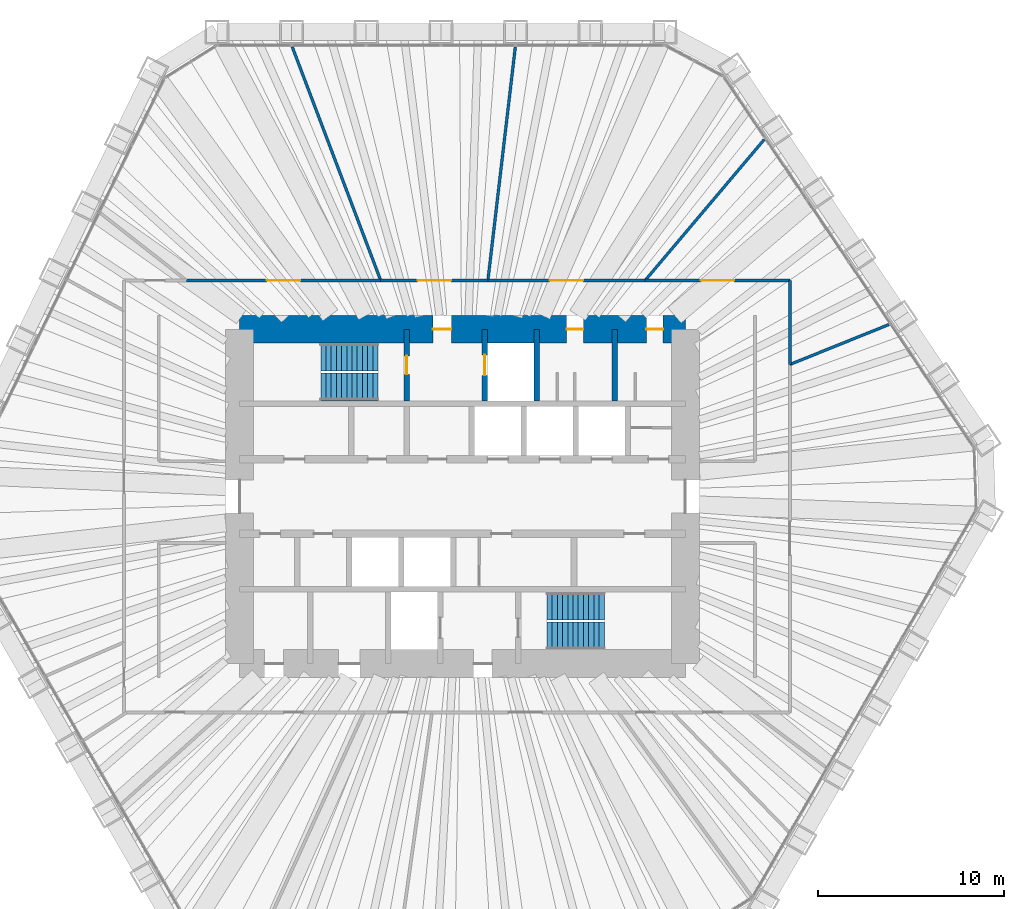
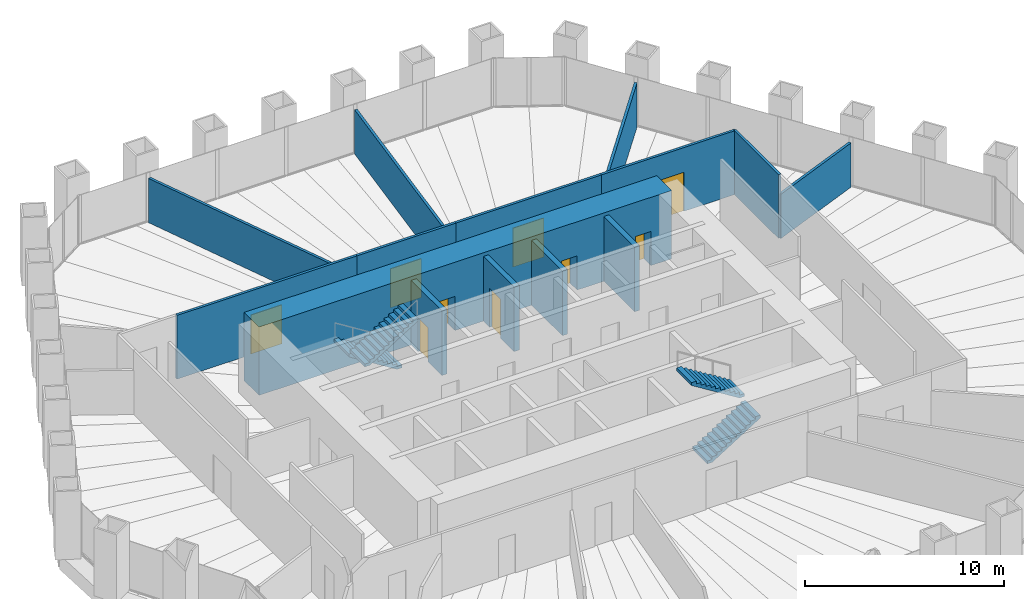
# One storey, part 11 of 12: 14 walls, 9 doors, 4 stair flights, 9 openings, 2 elements without a shape of their own.
"""IFC4 building model written with IfcOpenShell, lengths in metres."""

from ifc_helpers import new_model, si_unit, direction, frame, frame_2d, origin, place, context, subcontext, project, spatial, polyline, rectangle, outline, extrude, material, layer, layer_set, type_object, element, fill, aggregate, save


model = new_model("IFC4")

# Units and contexts
model_context = context("Model", 3, precision=1e-05, world=origin(), true_north=direction((0.0, 1.0)))
body_context = subcontext(model_context, "Body", "Model", "MODEL_VIEW")
ifc_project = project(units=[si_unit("LENGTHUNIT", "METRE"), si_unit("AREAUNIT", "SQUARE_METRE"), si_unit("VOLUMEUNIT", "CUBIC_METRE"), si_unit("PLANEANGLEUNIT", "RADIAN"), si_unit("MASSUNIT", "GRAM", prefix="KILO")], contexts=[model_context])

# Site, building, storey
site_placement = place(None, origin())
site = spatial("IfcSite", under=ifc_project, at=site_placement, CompositionType="ELEMENT")
building_placement = place(site_placement, origin())
building = spatial("IfcBuilding", under=site, at=building_placement, Name="Qingtian Harvest Tower", CompositionType="ELEMENT")
storey_placement = place(building_placement, frame((0.0, 0.0, 170.199951171875)))
storey = spatial("IfcBuildingStorey", under=building, at=storey_placement, Name="L36", CompositionType="ELEMENT", Elevation=170.199951171875)

# Wall, opening, door
ifc_material_1 = material(Name="Precast concrete shaft panel", Category="concrete")
ifc_layer_1 = layer(ifc_material_1, 0.300048828125)
ifc_layer_set_1 = layer_set([ifc_layer_1], Name="Core shaft partition SW1 300")
wall_type_1 = type_object("IfcWallType", Name="Core shaft partition SW1 300", PredefinedType="PARTITIONING", material=ifc_layer_set_1)
wall_1_placement = place(storey_placement, frame((-3.0, 5.14990234375, 0.0), z_axis=(0.0, 0.0, 1.0), x_axis=(0.0, 1.0, 0.0)))
wall_1 = element("IfcWall", 1, at=wall_1_placement, inside=storey, type_object=wall_type_1, Name="Core shaft partition XN1 L36", PredefinedType="PARTITIONING", context=body_context, shape_type="SweptSolid", body=[
    extrude(rectangle(XDim=3.85009765625, YDim=0.300048828125, at=frame_2d((1.925048828125, 0.0))), origin(), (0.0, 0.0, 1.0), 3.97998046875),
])
opening_1_placement = place(wall_1_placement, frame((1.425048828125, 0.0, 0.0)))
opening_1 = element("IfcOpeningElement", 2, at=opening_1_placement, cuts=wall_1, Name="Opening FD1", PredefinedType="OPENING", context=body_context, shape_type="SweptSolid", body=[
    extrude(rectangle(XDim=1.0, YDim=2.10009765625, at=frame_2d((0.5, 1.050048828125))), frame((0.0, 0.159912109375, 0.0), z_axis=(0.0, -1.0, 0.0), x_axis=(1.0, 0.0, 0.0)), (0.0, 0.0, 1.0), 0.320068359375),
])
ifc_material_2 = material(Name="Steel-faced door leaf", Category="steel")
door_type_1 = type_object("IfcDoorType", Name="Fire door FD1 single 1 HR", OperationType="SINGLE_SWING_LEFT", PredefinedType="DOOR", material=ifc_material_2)
door_1_placement = place(opening_1_placement, origin())
door_1 = element("IfcDoor", 3, at=door_1_placement, inside=storey, type_object=door_type_1, Name="S1 door L36", OperationType="SINGLE_SWING_RIGHT", OverallHeight=2.10009765625, OverallWidth=1.0, PredefinedType="DOOR", context=body_context, shape_type="SweptSolid", body=[
    extrude(rectangle(XDim=1.0, YDim=2.10009765625, at=frame_2d((0.5, 1.050048828125))), frame((0.0, 0.02490234375, 0.0), z_axis=(0.0, -1.0, 0.0), x_axis=(1.0, 0.0, 0.0)), (0.0, 0.0, 1.0), 0.050048828125),
])
fill(opening_1, door_1)

wall_2_placement = place(storey_placement, frame((1.199951171875, 5.14990234375, 0.0), z_axis=(0.0, 0.0, 1.0), x_axis=(0.0, 1.0, 0.0)))
wall_2 = element("IfcWall", 4, at=wall_2_placement, inside=storey, type_object=wall_type_1, Name="Core shaft partition XN2 L36", PredefinedType="PARTITIONING", context=body_context, shape_type="SweptSolid", body=[
    extrude(rectangle(XDim=3.85009765625, YDim=0.300048828125, at=frame_2d((1.925048828125, 0.0))), origin(), (0.0, 0.0, 1.0), 3.97998046875),
])
opening_2_placement = place(wall_2_placement, frame((1.375, 0.0, 0.0)))
opening_2 = element("IfcOpeningElement", 5, at=opening_2_placement, cuts=wall_2, Name="Opening LD1", PredefinedType="OPENING", context=body_context, shape_type="SweptSolid", body=[
    extrude(rectangle(XDim=1.10009765625, YDim=2.39990234375, at=frame_2d((0.550048828125, 1.199951171875))), frame((0.0, 0.159912109375, 0.0), z_axis=(0.0, -1.0, 0.0), x_axis=(1.0, 0.0, 0.0)), (0.0, 0.0, 1.0), 0.320068359375),
])
ifc_material_3 = material(Name="Stainless steel lift landing door", Category="steel")
door_type_2 = type_object("IfcDoorType", Name="Lift landing door LD1 1 HR", OperationType="DOUBLE_DOOR_SLIDING", PredefinedType="DOOR", material=ifc_material_3)
door_2_placement = place(opening_2_placement, origin())
door_2 = element("IfcDoor", 6, at=door_2_placement, inside=storey, type_object=door_type_2, Name="FL1 landing door L36", OperationType="DOUBLE_DOOR_SLIDING", OverallHeight=2.39990234375, OverallWidth=1.10009765625, PredefinedType="DOOR", context=body_context, shape_type="SweptSolid", body=[
    extrude(rectangle(XDim=1.10009765625, YDim=2.39990234375, at=frame_2d((0.550048828125, 1.199951171875))), frame((0.0, 0.02490234375, 0.0), z_axis=(0.0, -1.0, 0.0), x_axis=(1.0, 0.0, 0.0)), (0.0, 0.0, 1.0), 0.050048828125),
])
fill(opening_2, door_2)

# Walls
for number, where, z_axis, x_axis, name in (
    (7, (4.0, 5.14990234375, 0.0), (0.0, 0.0, 1.0), (0.0, 1.0, 0.0), "Core shaft partition XN3 L36"),
    (8, (8.199951171875, 5.14990234375, 0.0), (0.0, 0.0, 1.0), (0.0, 1.0, 0.0), "Core shaft partition XN4 L36"),
):
    element("IfcWall", number, at=place(storey_placement, frame(where, z_axis=z_axis, x_axis=x_axis)), inside=storey, type_object=wall_type_1, Name=name, PredefinedType="PARTITIONING", context=body_context, shape_type="SweptSolid", body=[
        extrude(rectangle(XDim=3.85009765625, YDim=0.300048828125, at=frame_2d((1.925048828125, 0.0))), origin(), (0.0, 0.0, 1.0), 3.97998046875),
    ])

# Wall, openings, doors
ifc_material_4 = material(Name="Concrete fc' 70 MPa", Category="concrete")
ifc_layer_2 = layer(ifc_material_4, 1.5)
ifc_layer_set_2 = layer_set([ifc_layer_2], Name="Core wall RC1 1500")
wall_type_2 = type_object("IfcWallType", Name="Core wall RC1 1500", PredefinedType="SHEAR", material=ifc_layer_set_2)
wall_3_placement = place(storey_placement, frame((-12.0, 9.0, 0.0), z_axis=(0.0, 0.0, 1.0), x_axis=(1.0, 0.0, 0.0)))
wall_3 = element("IfcWall", 9, at=wall_3_placement, inside=storey, type_object=wall_type_2, Name="Core wall CN L36", PredefinedType="SHEAR", context=body_context, shape_type="SweptSolid", body=[
    extrude(rectangle(XDim=24.0, YDim=1.5, at=frame_2d((12.0, 0.0))), origin(), (0.0, 0.0, 1.0), 4.199951171875),
])
opening_3_placement = place(wall_3_placement, frame((10.39990234375, 0.0, 0.0)))
opening_3 = element("IfcOpeningElement", 10, at=opening_3_placement, cuts=wall_3, Name="Opening FD1", PredefinedType="OPENING", context=body_context, shape_type="SweptSolid", body=[
    extrude(rectangle(XDim=1.0, YDim=2.10009765625, at=frame_2d((0.5, 1.050048828125))), frame((0.0, 0.760009765625, 0.0), z_axis=(0.0, -1.0, 0.0), x_axis=(1.0, 0.0, 0.0)), (0.0, 0.0, 1.0), 1.52001953125),
])
opening_4_placement = place(wall_3_placement, frame((17.60009765625, 0.0, 0.0)))
opening_4 = element("IfcOpeningElement", 11, at=opening_4_placement, cuts=wall_3, Name="Opening D1", PredefinedType="OPENING", context=body_context, shape_type="SweptSolid", body=[
    extrude(rectangle(XDim=0.89990234375, YDim=2.10009765625, at=frame_2d((0.449951171875, 1.050048828125))), frame((0.0, 0.760009765625, 0.0), z_axis=(0.0, -1.0, 0.0), x_axis=(1.0, 0.0, 0.0)), (0.0, 0.0, 1.0), 1.52001953125),
])
opening_5_placement = place(wall_3_placement, frame((21.89990234375, 0.0, 0.0)))
opening_5 = element("IfcOpeningElement", 12, at=opening_5_placement, cuts=wall_3, Name="Opening D1", PredefinedType="OPENING", context=body_context, shape_type="SweptSolid", body=[
    extrude(rectangle(XDim=0.89990234375, YDim=2.10009765625, at=frame_2d((0.449951171875, 1.050048828125))), frame((0.0, 0.760009765625, 0.0), z_axis=(0.0, -1.0, 0.0), x_axis=(1.0, 0.0, 0.0)), (0.0, 0.0, 1.0), 1.52001953125),
])
door_3_placement = place(opening_3_placement, origin())
door_3 = element("IfcDoor", 13, at=door_3_placement, inside=storey, type_object=door_type_1, Name="V1 door L36", OperationType="SINGLE_SWING_LEFT", OverallHeight=2.10009765625, OverallWidth=1.0, PredefinedType="DOOR", context=body_context, shape_type="SweptSolid", body=[
    extrude(rectangle(XDim=1.0, YDim=2.10009765625, at=frame_2d((0.5, 1.050048828125))), frame((0.0, 0.02490234375, 0.0), z_axis=(0.0, -1.0, 0.0), x_axis=(1.0, 0.0, 0.0)), (0.0, 0.0, 1.0), 0.050048828125),
])
fill(opening_3, door_3)
ifc_material_5 = material(Name="Laminated timber door leaf", Category="wood")
door_type_3 = type_object("IfcDoorType", Name="Toilet door D1 single", OperationType="SINGLE_SWING_LEFT", PredefinedType="DOOR", material=ifc_material_5)
door_4_placement = place(opening_4_placement, origin())
door_4 = element("IfcDoor", 14, at=door_4_placement, inside=storey, type_object=door_type_3, Name="WCM door L36", OperationType="SINGLE_SWING_RIGHT", OverallHeight=2.10009765625, OverallWidth=0.89990234375, PredefinedType="DOOR", context=body_context, shape_type="SweptSolid", body=[
    extrude(rectangle(XDim=0.89990234375, YDim=2.10009765625, at=frame_2d((0.449951171875, 1.050048828125))), frame((0.0, 0.02490234375, 0.0), z_axis=(0.0, -1.0, 0.0), x_axis=(1.0, 0.0, 0.0)), (0.0, 0.0, 1.0), 0.050048828125),
])
fill(opening_4, door_4)
door_5_placement = place(opening_5_placement, origin())
door_5 = element("IfcDoor", 15, at=door_5_placement, inside=storey, type_object=door_type_3, Name="WCF door L36", OperationType="SINGLE_SWING_RIGHT", OverallHeight=2.10009765625, OverallWidth=0.89990234375, PredefinedType="DOOR", context=body_context, shape_type="SweptSolid", body=[
    extrude(rectangle(XDim=0.89990234375, YDim=2.10009765625, at=frame_2d((0.449951171875, 1.050048828125))), frame((0.0, 0.02490234375, 0.0), z_axis=(0.0, -1.0, 0.0), x_axis=(1.0, 0.0, 0.0)), (0.0, 0.0, 1.0), 0.050048828125),
])
fill(opening_5, door_5)

# Wall
ifc_material_6 = material(Name="Gypsum board on steel studs", Category="steel")
ifc_layer_3 = layer(ifc_material_6, 0.14990234375)
ifc_layer_set_3 = layer_set([ifc_layer_3], Name="Partition PT1 150")
wall_type_3 = type_object("IfcWallType", Name="Partition PT1 150", PredefinedType="PARTITIONING", material=ifc_layer_set_3)
wall_4_placement = place(storey_placement, frame((2.843017578125, 24.20068359375, 0.0), z_axis=(0.0, 0.0, 1.0), x_axis=(-0.116670084723, -0.993170726175, 0.0)))
element("IfcWall", 16, at=wall_4_placement, inside=storey, type_object=wall_type_3, Name="Meeting room wall L36", PredefinedType="PARTITIONING", context=body_context, shape_type="SweptSolid", body=[
    extrude(rectangle(XDim=12.662109375, YDim=0.14990234375, at=frame_2d((6.3310546875, 0.0))), origin(), (0.0, 0.0, 1.0), 2.719970703125),
])

# Wall, opening, door
wall_5_placement = place(storey_placement, frame((1.36572265625, 11.625, 0.0), z_axis=(0.0, 0.0, 1.0), x_axis=(1.0, 0.0, 0.0)))
wall_5 = element("IfcWall", 17, at=wall_5_placement, inside=storey, type_object=wall_type_3, Name="Meeting room wall L36", PredefinedType="PARTITIONING", context=body_context, shape_type="SweptSolid", body=[
    extrude(rectangle(XDim=8.460205078125, YDim=0.14990234375, at=frame_2d((4.22998046875, 0.0))), origin(), (0.0, 0.0, 1.0), 3.920166015625),
])
opening_6_placement = place(wall_5_placement, frame((3.330078125, 0.0, 0.0)))
opening_6 = element("IfcOpeningElement", 18, at=opening_6_placement, cuts=wall_5, Name="Opening D3", PredefinedType="OPENING", context=body_context, shape_type="SweptSolid", body=[
    extrude(rectangle(XDim=1.800048828125, YDim=2.39990234375, at=frame_2d((0.89990234375, 1.199951171875))), frame((0.0, 0.0849609375, 0.0), z_axis=(0.0, -1.0, 0.0), x_axis=(1.0, 0.0, 0.0)), (0.0, 0.0, 1.0), 0.169921875),
])
ifc_material_7 = material(Name="Laminated timber door leaf", Category="wood")
door_type_4 = type_object("IfcDoorType", Name="Room door D3 double", OperationType="DOUBLE_DOOR_DOUBLE_SWING", PredefinedType="DOOR", material=ifc_material_7)
door_6_placement = place(opening_6_placement, origin())
door_6 = element("IfcDoor", 19, at=door_6_placement, inside=storey, type_object=door_type_4, Name="Meeting room door L36", OperationType="DOUBLE_DOOR_DOUBLE_SWING", OverallHeight=2.39990234375, OverallWidth=1.800048828125, PredefinedType="DOOR", context=body_context, shape_type="SweptSolid", body=[
    extrude(rectangle(XDim=1.800048828125, YDim=2.39990234375, at=frame_2d((0.89990234375, 1.199951171875))), frame((0.0, 0.02490234375, 0.0), z_axis=(0.0, -1.0, 0.0), x_axis=(1.0, 0.0, 0.0)), (0.0, 0.0, 1.0), 0.050048828125),
])
fill(opening_6, door_6)

# Wall
wall_6_placement = place(storey_placement, frame((16.2373046875, 19.21044921875, 0.0), z_axis=(0.0, 0.0, 1.0), x_axis=(-0.645526723652, -0.763737683404, 0.0)))
element("IfcWall", 20, at=wall_6_placement, inside=storey, type_object=wall_type_3, Name="Meeting room wall L36", PredefinedType="PARTITIONING", context=body_context, shape_type="SweptSolid", body=[
    extrude(rectangle(XDim=9.93212890625, YDim=0.14990234375, at=frame_2d((4.966064453125, 0.0))), origin(), (0.0, 0.0, 1.0), 2.719970703125),
])

# Wall, opening, door
wall_7_placement = place(storey_placement, frame((9.825927734375, 11.625, 0.0), z_axis=(0.0, 0.0, 1.0), x_axis=(1.0, 0.0, 0.0)))
wall_7 = element("IfcWall", 21, at=wall_7_placement, inside=storey, type_object=wall_type_3, Name="Meeting room wall L36", PredefinedType="PARTITIONING", context=body_context, shape_type="SweptSolid", body=[
    extrude(rectangle(XDim=7.799072265625, YDim=0.14990234375, at=frame_2d((3.8994140625, 0.0))), origin(), (0.0, 0.0, 1.0), 3.920166015625),
])
opening_7_placement = place(wall_7_placement, frame((2.99951171875, 0.0, 0.0)))
opening_7 = element("IfcOpeningElement", 22, at=opening_7_placement, cuts=wall_7, Name="Opening D3", PredefinedType="OPENING", context=body_context, shape_type="SweptSolid", body=[
    extrude(rectangle(XDim=1.800048828125, YDim=2.39990234375, at=frame_2d((0.89990234375, 1.199951171875))), frame((0.0, 0.0849609375, 0.0), z_axis=(0.0, -1.0, 0.0), x_axis=(1.0, 0.0, 0.0)), (0.0, 0.0, 1.0), 0.169921875),
])
door_7_placement = place(opening_7_placement, origin())
door_7 = element("IfcDoor", 23, at=door_7_placement, inside=storey, type_object=door_type_4, Name="Meeting room door L36", OperationType="DOUBLE_DOOR_DOUBLE_SWING", OverallHeight=2.39990234375, OverallWidth=1.800048828125, PredefinedType="DOOR", context=body_context, shape_type="SweptSolid", body=[
    extrude(rectangle(XDim=1.800048828125, YDim=2.39990234375, at=frame_2d((0.89990234375, 1.199951171875))), frame((0.0, 0.02490234375, 0.0), z_axis=(0.0, -1.0, 0.0), x_axis=(1.0, 0.0, 0.0)), (0.0, 0.0, 1.0), 0.050048828125),
])
fill(opening_7, door_7)

# Walls
wall_8_placement = place(storey_placement, frame((17.625, 11.625, 0.0), z_axis=(0.0, 0.0, 1.0), x_axis=(0.0, -1.0, 0.0)))
element("IfcWall", 24, at=wall_8_placement, inside=storey, type_object=wall_type_3, Name="Meeting room wall L36", PredefinedType="PARTITIONING", context=body_context, shape_type="SweptSolid", body=[
    extrude(rectangle(XDim=4.51904296875, YDim=0.14990234375, at=frame_2d((2.259521484375, 0.0))), origin(), (0.0, 0.0, 1.0), 3.920166015625),
])
wall_9_placement = place(storey_placement, frame((22.951416015625, 9.253662109375, 0.0), z_axis=(0.0, 0.0, 1.0), x_axis=(-0.927444087873, -0.373961848147, 0.0)))
element("IfcWall", 25, at=wall_9_placement, inside=storey, type_object=wall_type_3, Name="Office suite wall L36", PredefinedType="PARTITIONING", context=body_context, shape_type="SweptSolid", body=[
    extrude(rectangle(XDim=5.7431640625, YDim=0.14990234375, at=frame_2d((2.87158203125, 0.0))), origin(), (0.0, 0.0, 1.0), 2.719970703125),
])

# Wall, opening, door
wall_10_placement = place(storey_placement, frame((-14.857177734375, 11.625, 0.0), z_axis=(0.0, 0.0, 1.0), x_axis=(1.0, 0.0, 0.0)))
wall_10 = element("IfcWall", 26, at=wall_10_placement, inside=storey, type_object=wall_type_3, Name="Office suite wall L36", PredefinedType="PARTITIONING", context=body_context, shape_type="SweptSolid", body=[
    extrude(rectangle(XDim=10.45458984375, YDim=0.14990234375, at=frame_2d((5.227294921875, 0.0))), origin(), (0.0, 0.0, 1.0), 3.920166015625),
])
opening_8_placement = place(wall_10_placement, frame((4.327392578125, 0.0, 0.0)))
opening_8 = element("IfcOpeningElement", 27, at=opening_8_placement, cuts=wall_10, Name="Opening D3", PredefinedType="OPENING", context=body_context, shape_type="SweptSolid", body=[
    extrude(rectangle(XDim=1.800048828125, YDim=2.39990234375, at=frame_2d((0.89990234375, 1.199951171875))), frame((0.0, 0.0849609375, 0.0), z_axis=(0.0, -1.0, 0.0), x_axis=(1.0, 0.0, 0.0)), (0.0, 0.0, 1.0), 0.169921875),
])
door_8_placement = place(opening_8_placement, origin())
door_8 = element("IfcDoor", 28, at=door_8_placement, inside=storey, type_object=door_type_4, Name="Office suite door L36", OperationType="DOUBLE_DOOR_DOUBLE_SWING", OverallHeight=2.39990234375, OverallWidth=1.800048828125, PredefinedType="DOOR", context=body_context, shape_type="SweptSolid", body=[
    extrude(rectangle(XDim=1.800048828125, YDim=2.39990234375, at=frame_2d((0.89990234375, 1.199951171875))), frame((0.0, 0.02490234375, 0.0), z_axis=(0.0, -1.0, 0.0), x_axis=(1.0, 0.0, 0.0)), (0.0, 0.0, 1.0), 0.050048828125),
])
fill(opening_8, door_8)

# Wall
wall_11_placement = place(storey_placement, frame((-9.167236328125, 24.20654296875, 0.0), z_axis=(0.0, 0.0, 1.0), x_axis=(0.354156368181, -0.935186220427, 0.0)))
element("IfcWall", 29, at=wall_11_placement, inside=storey, type_object=wall_type_3, Name="Office suite wall L36", PredefinedType="PARTITIONING", context=body_context, shape_type="SweptSolid", body=[
    extrude(rectangle(XDim=13.45361328125, YDim=0.14990234375, at=frame_2d((6.726806640625, 0.0))), origin(), (0.0, 0.0, 1.0), 2.719970703125),
])

# Wall, opening, door
wall_12_placement = place(storey_placement, frame((-4.402587890625, 11.625, 0.0), z_axis=(0.0, 0.0, 1.0), x_axis=(1.0, 0.0, 0.0)))
wall_12 = element("IfcWall", 30, at=wall_12_placement, inside=storey, type_object=wall_type_3, Name="Office suite wall L36", PredefinedType="PARTITIONING", context=body_context, shape_type="SweptSolid", body=[
    extrude(rectangle(XDim=5.768310546875, YDim=0.14990234375, at=frame_2d((2.88427734375, 0.0))), origin(), (0.0, 0.0, 1.0), 3.920166015625),
])
opening_9_placement = place(wall_12_placement, frame((1.984130859375, 0.0, 0.0)))
opening_9 = element("IfcOpeningElement", 31, at=opening_9_placement, cuts=wall_12, Name="Opening D3", PredefinedType="OPENING", context=body_context, shape_type="SweptSolid", body=[
    extrude(rectangle(XDim=1.800048828125, YDim=2.39990234375, at=frame_2d((0.89990234375, 1.199951171875))), frame((0.0, 0.0849609375, 0.0), z_axis=(0.0, -1.0, 0.0), x_axis=(1.0, 0.0, 0.0)), (0.0, 0.0, 1.0), 0.169921875),
])
door_9_placement = place(opening_9_placement, origin())
door_9 = element("IfcDoor", 32, at=door_9_placement, inside=storey, type_object=door_type_4, Name="Office suite door L36", OperationType="DOUBLE_DOOR_DOUBLE_SWING", OverallHeight=2.39990234375, OverallWidth=1.800048828125, PredefinedType="DOOR", context=body_context, shape_type="SweptSolid", body=[
    extrude(rectangle(XDim=1.800048828125, YDim=2.39990234375, at=frame_2d((0.89990234375, 1.199951171875))), frame((0.0, 0.02490234375, 0.0), z_axis=(0.0, -1.0, 0.0), x_axis=(1.0, 0.0, 0.0)), (0.0, 0.0, 1.0), 0.050048828125),
])
fill(opening_9, door_9)

# Stair, stair flights
ifc_material_8 = material(Name="Concrete fc' 35 MPa", Category="concrete")
stair_type = type_object("IfcStairType", Name="Special stair ST3 4200", PredefinedType="HALF_TURN_STAIR", material=ifc_material_8)
stair_1_placement = place(storey_placement, origin())
stair_1 = element("IfcStair", 33, at=stair_1_placement, inside=storey, type_object=stair_type, Name="Special stair S1 L36", PredefinedType="HALF_TURN_STAIR")
ifc_material_9 = material(Name="Concrete fc' 35 MPa", Category="concrete")
stair_flight_type = type_object("IfcStairFlightType", Name="Stair flight SF3 4200", PredefinedType="STRAIGHT", material=ifc_material_9)
stair_flight_1_placement = place(storey_placement, frame((-4.550048828125, 7.5, 0.0), z_axis=(0.0, 0.0, 1.0), x_axis=(-1.0, 0.0, 0.0)))
stair_flight_1 = element("IfcStairFlight", 34, at=stair_flight_1_placement, type_object=stair_flight_type, Name="S1 flight 1", NumberOfRisers=12, NumberOfTreads=11, PredefinedType="STRAIGHT", RiserHeight=0.175, TreadLength=0.28, context=body_context, shape_type="SweptSolid", body=[
    extrude(outline(polyline([(0.0, 0.0), (0.0, 0.175048828125), (0.280029296875, 0.175048828125), (0.280029296875, 0.35009765625), (0.56005859375, 0.35009765625), (0.56005859375, 0.52490234375), (0.840087890625, 0.52490234375), (0.840087890625, 0.699951171875), (1.1201171875, 0.699951171875), (1.1201171875, 0.875), (1.39990234375, 0.875), (1.39990234375, 1.050048828125), (1.679931640625, 1.050048828125), (1.679931640625, 1.22509765625), (1.9599609375, 1.22509765625), (1.9599609375, 1.39990234375), (2.239990234375, 1.39990234375), (2.239990234375, 1.574951171875), (2.52001953125, 1.574951171875), (2.52001953125, 1.75), (2.800048828125, 1.75), (2.800048828125, 1.925048828125), (3.080078125, 1.925048828125), (3.080078125, 2.10009765625), (3.080078125, 1.748291015625), (0.28271484375, 0.0), (0.0, 0.0)])), frame((0.0, 0.75, 0.0), z_axis=(0.0, -1.0, 0.0), x_axis=(1.0, 0.0, 0.0)), (0.0, 0.0, 1.0), 1.5),
])
stair_flight_2_placement = place(storey_placement, frame((-7.6298828125, 5.89990234375, 2.10009765625), z_axis=(0.0, 0.0, 1.0), x_axis=(1.0, 0.0, 0.0)))
stair_flight_2 = element("IfcStairFlight", 35, at=stair_flight_2_placement, type_object=stair_flight_type, Name="S1 flight 2", NumberOfRisers=12, NumberOfTreads=11, PredefinedType="STRAIGHT", RiserHeight=0.175, TreadLength=0.28, context=body_context, shape_type="SweptSolid", body=[
    extrude(outline(polyline([(0.0, 0.0), (0.0, 0.175048828125), (0.280029296875, 0.175048828125), (0.280029296875, 0.35009765625), (0.56005859375, 0.35009765625), (0.56005859375, 0.52490234375), (0.840087890625, 0.52490234375), (0.840087890625, 0.699951171875), (1.1201171875, 0.699951171875), (1.1201171875, 0.875), (1.39990234375, 0.875), (1.39990234375, 1.050048828125), (1.679931640625, 1.050048828125), (1.679931640625, 1.22509765625), (1.9599609375, 1.22509765625), (1.9599609375, 1.39990234375), (2.239990234375, 1.39990234375), (2.239990234375, 1.574951171875), (2.52001953125, 1.574951171875), (2.52001953125, 1.75), (2.800048828125, 1.75), (2.800048828125, 1.925048828125), (3.080078125, 1.925048828125), (3.080078125, 2.10009765625), (3.080078125, 1.748291015625), (0.28271484375, 0.0), (0.0, 0.0)])), frame((0.0, 0.75, 0.0), z_axis=(0.0, -1.0, 0.0), x_axis=(1.0, 0.0, 0.0)), (0.0, 0.0, 1.0), 1.5),
])
aggregate(stair_1, [stair_flight_1, stair_flight_2])

stair_2_placement = place(storey_placement, origin())
stair_2 = element("IfcStair", 36, at=stair_2_placement, inside=storey, type_object=stair_type, Name="Special stair S2 L36", PredefinedType="HALF_TURN_STAIR")
stair_flight_3_placement = place(storey_placement, frame((4.550048828125, -7.5, 0.0), z_axis=(0.0, 0.0, 1.0), x_axis=(1.0, 0.0, 0.0)))
stair_flight_3 = element("IfcStairFlight", 37, at=stair_flight_3_placement, type_object=stair_flight_type, Name="S2 flight 1", NumberOfRisers=12, NumberOfTreads=11, PredefinedType="STRAIGHT", RiserHeight=0.175, TreadLength=0.28, context=body_context, shape_type="SweptSolid", body=[
    extrude(outline(polyline([(0.0, 0.0), (0.0, 0.175048828125), (0.280029296875, 0.175048828125), (0.280029296875, 0.35009765625), (0.56005859375, 0.35009765625), (0.56005859375, 0.52490234375), (0.840087890625, 0.52490234375), (0.840087890625, 0.699951171875), (1.1201171875, 0.699951171875), (1.1201171875, 0.875), (1.39990234375, 0.875), (1.39990234375, 1.050048828125), (1.679931640625, 1.050048828125), (1.679931640625, 1.22509765625), (1.9599609375, 1.22509765625), (1.9599609375, 1.39990234375), (2.239990234375, 1.39990234375), (2.239990234375, 1.574951171875), (2.52001953125, 1.574951171875), (2.52001953125, 1.75), (2.800048828125, 1.75), (2.800048828125, 1.925048828125), (3.080078125, 1.925048828125), (3.080078125, 2.10009765625), (3.080078125, 1.748291015625), (0.28271484375, 0.0), (0.0, 0.0)])), frame((0.0, 0.75, 0.0), z_axis=(0.0, -1.0, 0.0), x_axis=(1.0, 0.0, 0.0)), (0.0, 0.0, 1.0), 1.5),
])
stair_flight_4_placement = place(storey_placement, frame((7.6298828125, -5.89990234375, 2.10009765625), z_axis=(0.0, 0.0, 1.0), x_axis=(-1.0, 0.0, 0.0)))
stair_flight_4 = element("IfcStairFlight", 38, at=stair_flight_4_placement, type_object=stair_flight_type, Name="S2 flight 2", NumberOfRisers=12, NumberOfTreads=11, PredefinedType="STRAIGHT", RiserHeight=0.175, TreadLength=0.28, context=body_context, shape_type="SweptSolid", body=[
    extrude(outline(polyline([(0.0, 0.0), (0.0, 0.175048828125), (0.280029296875, 0.175048828125), (0.280029296875, 0.35009765625), (0.56005859375, 0.35009765625), (0.56005859375, 0.52490234375), (0.840087890625, 0.52490234375), (0.840087890625, 0.699951171875), (1.1201171875, 0.699951171875), (1.1201171875, 0.875), (1.39990234375, 0.875), (1.39990234375, 1.050048828125), (1.679931640625, 1.050048828125), (1.679931640625, 1.22509765625), (1.9599609375, 1.22509765625), (1.9599609375, 1.39990234375), (2.239990234375, 1.39990234375), (2.239990234375, 1.574951171875), (2.52001953125, 1.574951171875), (2.52001953125, 1.75), (2.800048828125, 1.75), (2.800048828125, 1.925048828125), (3.080078125, 1.925048828125), (3.080078125, 2.10009765625), (3.080078125, 1.748291015625), (0.28271484375, 0.0), (0.0, 0.0)])), frame((0.0, 0.75, 0.0), z_axis=(0.0, -1.0, 0.0), x_axis=(1.0, 0.0, 0.0)), (0.0, 0.0, 1.0), 1.5),
])
aggregate(stair_2, [stair_flight_3, stair_flight_4])

save(model, "model.ifc")
